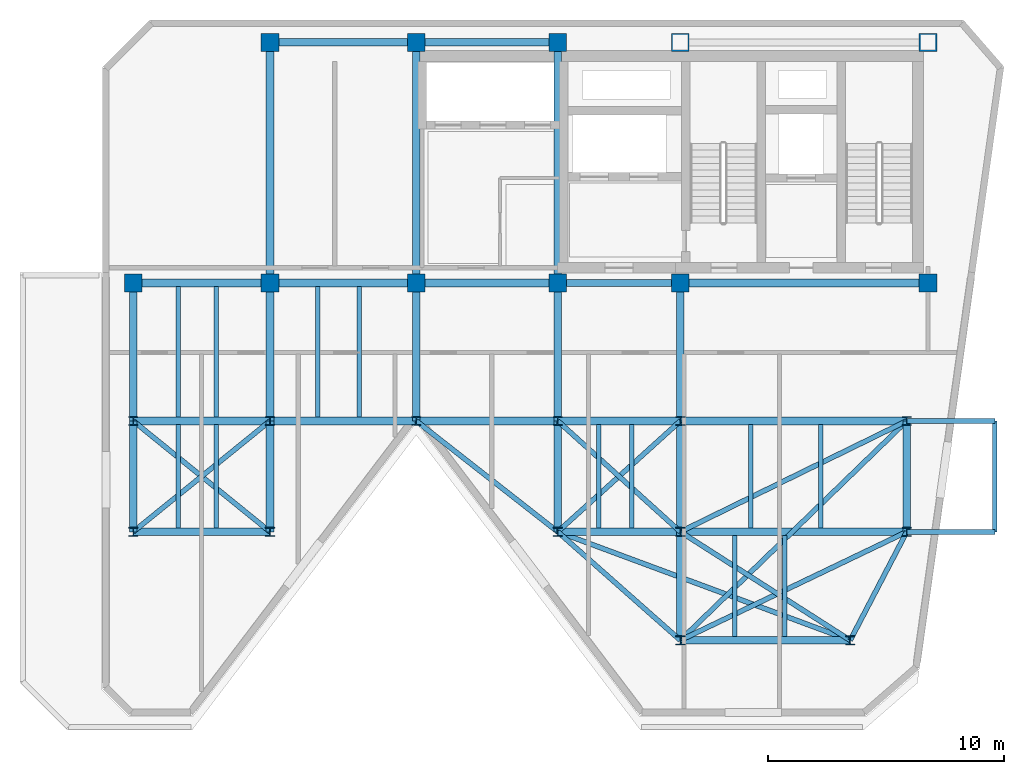
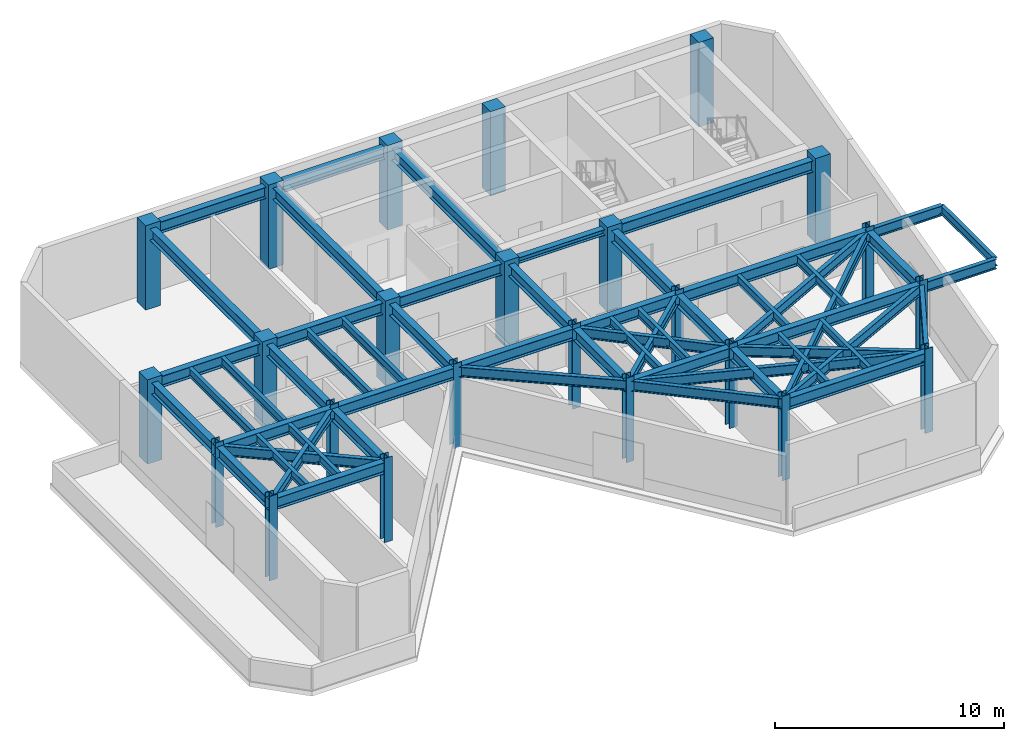
# One storey, part 1 of 6: 57 beams, 24 columns.
"""IFC4 building model written with IfcOpenShell, lengths in metres."""

from ifc_helpers import new_model, si_unit, direction, frame, origin, origin_2d, place, context, subcontext, project, spatial, rectangle, i_section, extrude, material, material_profile, profile_set, type_object, element, save


model = new_model("IFC4")

# Units and contexts
model_context = context("Model", 3, precision=1e-05, world=origin(), true_north=direction((0.0, 1.0)))
body_context = subcontext(model_context, "Body", "Model", "MODEL_VIEW")
ifc_project = project(units=[si_unit("LENGTHUNIT", "METRE"), si_unit("AREAUNIT", "SQUARE_METRE"), si_unit("VOLUMEUNIT", "CUBIC_METRE"), si_unit("PLANEANGLEUNIT", "RADIAN"), si_unit("MASSUNIT", "GRAM", prefix="KILO")], contexts=[model_context])

# Site, building, storey
site_placement = place(None, origin())
site = spatial("IfcSite", under=ifc_project, at=site_placement, CompositionType="ELEMENT")
building_placement = place(site_placement, origin())
building = spatial("IfcBuilding", under=site, at=building_placement, Name="Kravanh Interchange Tower", CompositionType="ELEMENT")
storey_placement = place(building_placement, frame((0.0, 0.0, 277.800048828125)))
storey = spatial("IfcBuildingStorey", under=building, at=storey_placement, Name="L68", CompositionType="ELEMENT", Elevation=277.800048828125)

# Columns
ifc_material_1 = material(Name="Concrete C60/75", Category="concrete")
ifc_material_profile_1 = material_profile(ifc_material_1, rectangle(XDim=0.75, YDim=0.75, at=origin_2d()), Name="RC750X750")
ifc_profile_set_1 = profile_set([ifc_material_profile_1], Name="Concrete C60/75")
column_type_1 = type_object("IfcColumnType", Name="Column RC750X750 Concrete C60/75", PredefinedType="COLUMN", material=ifc_profile_set_1)
for number, where, z_axis, x_axis, name in (
    (1, (66.5, 47.550048828125, 0.0), (0.0, 0.0, 1.0), (1.0, 0.0, 0.0), "L68 Column CS01"),
    (2, (56.0, 47.550048828125, 0.0), (0.0, 0.0, 1.0), (1.0, 0.0, 0.0), "L68 Column CS02"),
    (3, (66.5, 37.35009765625, 0.0), (0.0, 0.0, 1.0), (1.0, 0.0, 0.0), "L68 Column CS03"),
    (4, (56.0, 37.35009765625, 0.0), (0.0, 0.0, 1.0), (1.0, 0.0, 0.0), "L68 Column CS04"),
    (5, (50.800048828125, 47.550048828125, 0.0), (0.0, 0.0, 1.0), (1.0, 0.0, 0.0), "L68 Column CS05"),
    (6, (50.800048828125, 37.35009765625, 0.0), (0.0, 0.0, 1.0), (1.0, 0.0, 0.0), "L68 Column CS06"),
    (7, (44.800048828125, 37.35009765625, 0.0), (0.0, 0.0, 1.0), (1.0, 0.0, 0.0), "L68 Column CS07"),
    (8, (44.800048828125, 47.550048828125, 0.0), (0.0, 0.0, 1.0), (1.0, 0.0, 0.0), "L68 Column CS08"),
    (9, (38.60009765625, 37.35009765625, 0.0), (0.0, 0.0, 1.0), (1.0, 0.0, 0.0), "L68 Column CS09"),
    (10, (38.60009765625, 47.550048828125, 0.0), (0.0, 0.0, 1.0), (1.0, 0.0, 0.0), "L68 Column CS10"),
    (11, (32.800048828125, 37.35009765625, 0.0), (0.0, 0.0, 1.0), (1.0, 0.0, 0.0), "L68 Column CS11"),
):
    element("IfcColumn", number, at=place(storey_placement, frame(where, z_axis=z_axis, x_axis=x_axis)), inside=storey, type_object=column_type_1, Name=name, PredefinedType="COLUMN", context=body_context, shape_type="SweptSolid", body=[
        extrude(rectangle(XDim=0.75, YDim=0.75, at=origin_2d()), origin(), (0.0, 0.0, 1.0), 4.5),
    ])
ifc_material_2 = material(Name="Structural Steel S355", Category="steel")
ifc_material_profile_2 = material_profile(ifc_material_2, i_section(OverallWidth=0.39404296875, OverallDepth=0.3759765625, WebThickness=0.017333984375, FlangeThickness=0.027587890625, FilletRadius=0.030029296875, at=origin_2d()), Name="W14X145")
ifc_profile_set_2 = profile_set([ifc_material_profile_2], Name="Structural Steel S355")
column_type_2 = type_object("IfcColumnType", Name="Column W14X145 Structural Steel S355", PredefinedType="COLUMN", material=ifc_profile_set_2)
for number, where, z_axis, x_axis, name in (
    (12, (44.800048828125, 31.5, 0.0), (0.0, 0.0, 1.0), (1.0, 0.0, 0.0), "L68 Column CH_E1"),
    (13, (50.800048828125, 31.5, 0.0), (0.0, 0.0, 1.0), (1.0, 0.0, 0.0), "L68 Column CH_E2"),
    (14, (56.0, 31.5, 0.0), (0.0, 0.0, 1.0), (1.0, 0.0, 0.0), "L68 Column CH_E3"),
    (15, (65.60009765625, 31.5, 0.0), (0.0, 0.0, 1.0), (1.0, 0.0, 0.0), "L68 Column CH_E4"),
    (16, (38.60009765625, 31.5, 0.0), (0.0, 0.0, 1.0), (1.0, 0.0, 0.0), "L68 Column CH_E5"),
    (17, (32.800048828125, 31.5, 0.0), (0.0, 0.0, 1.0), (1.0, 0.0, 0.0), "L68 Column CH_E6"),
    (18, (38.60009765625, 26.800048828125, 0.0), (0.0, 0.0, 1.0), (1.0, 0.0, 0.0), "L68 Column CH_S1"),
    (19, (50.800048828125, 26.800048828125, 0.0), (0.0, 0.0, 1.0), (1.0, 0.0, 0.0), "L68 Column CH_S2"),
    (20, (56.0, 26.800048828125, 0.0), (0.0, 0.0, 1.0), (1.0, 0.0, 0.0), "L68 Column CH_S3"),
    (21, (65.60009765625, 26.800048828125, 0.0), (0.0, 0.0, 1.0), (1.0, 0.0, 0.0), "L68 Column CH_S4"),
    (22, (56.0, 22.199951171875, 0.0), (0.0, 0.0, 1.0), (1.0, 0.0, 0.0), "L68 Column CH_S5"),
    (23, (63.199951171875, 22.199951171875, 0.0), (0.0, 0.0, 1.0), (1.0, 0.0, 0.0), "L68 Column CH_S6"),
    (24, (32.800048828125, 26.800048828125, 0.0), (0.0, 0.0, 1.0), (1.0, 0.0, 0.0), "L68 Column CH_W3"),
):
    element("IfcColumn", number, at=place(storey_placement, frame(where, z_axis=z_axis, x_axis=x_axis)), inside=storey, type_object=column_type_2, Name=name, PredefinedType="COLUMN", context=body_context, shape_type="SweptSolid", body=[
        extrude(i_section(OverallWidth=0.39404296875, OverallDepth=0.3759765625, WebThickness=0.017333984375, FlangeThickness=0.027587890625, FilletRadius=0.030029296875, at=origin_2d()), origin(), (0.0, 0.0, 1.0), 4.5),
    ])

# Beams
ifc_material_3 = material(Name="Structural Steel S355", Category="steel")
ifc_material_profile_3 = material_profile(ifc_material_3, i_section(OverallWidth=0.323974609375, OverallDepth=0.611083984375, WebThickness=0.0126953125, FlangeThickness=0.01904296875, FilletRadius=0.02197265625, at=origin_2d()), Name="W24X104")
ifc_profile_set_3 = profile_set([ifc_material_profile_3], Name="Structural Steel S355")
beam_type_1 = type_object("IfcBeamType", Name="Floor Beam W24X104 Structural Steel S355", PredefinedType="BEAM", material=ifc_profile_set_3)
beam_1_placement = place(storey_placement, frame((44.800048828125, 31.5, 3.95947265625), z_axis=(0.0, 1.0, 0.0), x_axis=(-1.0, 0.0, 0.0)))
element("IfcBeam", 25, at=beam_1_placement, inside=storey, type_object=beam_type_1, Name="L68 Primary Floor Girder 1", PredefinedType="BEAM", context=body_context, shape_type="SweptSolid", body=[
    extrude(i_section(OverallWidth=0.323974609375, OverallDepth=0.611083984375, WebThickness=0.0126953125, FlangeThickness=0.01904296875, FilletRadius=0.02197265625, at=origin_2d()), origin(), (0.0, 0.0, 1.0), 5.85009765625),
])
beam_2_placement = place(storey_placement, frame((44.800048828125, 31.5, 3.95947265625), z_axis=(1.0, 0.0, 0.0), x_axis=(0.0, 1.0, 0.0)))
element("IfcBeam", 26, at=beam_2_placement, inside=storey, type_object=beam_type_1, Name="L68 Primary Floor Girder 2", PredefinedType="BEAM", context=body_context, shape_type="SweptSolid", body=[
    extrude(i_section(OverallWidth=0.323974609375, OverallDepth=0.611083984375, WebThickness=0.0126953125, FlangeThickness=0.01904296875, FilletRadius=0.02197265625, at=origin_2d()), origin(), (0.0, 0.0, 1.0), 6.0),
])
beam_3_placement = place(storey_placement, frame((44.800048828125, 31.5, 3.95947265625), z_axis=(-1.0, 0.0, 0.0), x_axis=(0.0, -1.0, 0.0)))
element("IfcBeam", 27, at=beam_3_placement, inside=storey, type_object=beam_type_1, Name="L68 Primary Floor Girder 3", PredefinedType="BEAM", context=body_context, shape_type="SweptSolid", body=[
    extrude(i_section(OverallWidth=0.323974609375, OverallDepth=0.611083984375, WebThickness=0.0126953125, FlangeThickness=0.01904296875, FilletRadius=0.02197265625, at=origin_2d()), origin(), (0.0, 0.0, 1.0), 6.199951171875),
])
beam_4_placement = place(storey_placement, frame((50.800048828125, 31.5, 3.95947265625), z_axis=(0.0, -1.0, 0.0), x_axis=(1.0, 0.0, 0.0)))
element("IfcBeam", 28, at=beam_4_placement, inside=storey, type_object=beam_type_1, Name="L68 Primary Floor Girder 5", PredefinedType="BEAM", context=body_context, shape_type="SweptSolid", body=[
    extrude(i_section(OverallWidth=0.323974609375, OverallDepth=0.611083984375, WebThickness=0.0126953125, FlangeThickness=0.01904296875, FilletRadius=0.02197265625, at=origin_2d()), origin(), (0.0, 0.0, 1.0), 4.699951171875),
])
beam_5_placement = place(storey_placement, frame((50.800048828125, 31.5, 3.95947265625), z_axis=(1.0, 0.0, 0.0), x_axis=(0.0, 1.0, 0.0)))
element("IfcBeam", 29, at=beam_5_placement, inside=storey, type_object=beam_type_1, Name="L68 Primary Floor Girder 6", PredefinedType="BEAM", context=body_context, shape_type="SweptSolid", body=[
    extrude(i_section(OverallWidth=0.323974609375, OverallDepth=0.611083984375, WebThickness=0.0126953125, FlangeThickness=0.01904296875, FilletRadius=0.02197265625, at=origin_2d()), origin(), (0.0, 0.0, 1.0), 5.199951171875),
])
beam_6_placement = place(storey_placement, frame((50.800048828125, 31.5, 3.95947265625), z_axis=(0.0, 1.0, 0.0), x_axis=(-1.0, 0.0, 0.0)))
element("IfcBeam", 30, at=beam_6_placement, inside=storey, type_object=beam_type_1, Name="L68 Primary Floor Girder 7", PredefinedType="BEAM", context=body_context, shape_type="SweptSolid", body=[
    extrude(i_section(OverallWidth=0.323974609375, OverallDepth=0.611083984375, WebThickness=0.0126953125, FlangeThickness=0.01904296875, FilletRadius=0.02197265625, at=origin_2d()), origin(), (0.0, 0.0, 1.0), 5.85009765625),
])
beam_7_placement = place(storey_placement, frame((56.0, 31.5, 3.95947265625), z_axis=(0.0, -1.0, 0.0), x_axis=(1.0, 0.0, 0.0)))
element("IfcBeam", 31, at=beam_7_placement, inside=storey, type_object=beam_type_1, Name="L68 Primary Floor Girder 9", PredefinedType="BEAM", context=body_context, shape_type="SweptSolid", body=[
    extrude(i_section(OverallWidth=0.323974609375, OverallDepth=0.611083984375, WebThickness=0.0126953125, FlangeThickness=0.01904296875, FilletRadius=0.02197265625, at=origin_2d()), origin(), (0.0, 0.0, 1.0), 4.699951171875),
])
beam_8_placement = place(storey_placement, frame((56.0, 31.5, 3.95947265625), z_axis=(0.0, 1.0, 0.0), x_axis=(-1.0, 0.0, 0.0)))
element("IfcBeam", 32, at=beam_8_placement, inside=storey, type_object=beam_type_1, Name="L68 Primary Floor Girder 10", PredefinedType="BEAM", context=body_context, shape_type="SweptSolid", body=[
    extrude(i_section(OverallWidth=0.323974609375, OverallDepth=0.611083984375, WebThickness=0.0126953125, FlangeThickness=0.01904296875, FilletRadius=0.02197265625, at=origin_2d()), origin(), (0.0, 0.0, 1.0), 5.85009765625),
])
beam_9_placement = place(storey_placement, frame((56.0, 31.5, 3.95947265625), z_axis=(1.0, 0.0, 0.0), x_axis=(0.0, 1.0, 0.0)))
element("IfcBeam", 33, at=beam_9_placement, inside=storey, type_object=beam_type_1, Name="L68 Primary Floor Girder 12", PredefinedType="BEAM", context=body_context, shape_type="SweptSolid", body=[
    extrude(i_section(OverallWidth=0.323974609375, OverallDepth=0.611083984375, WebThickness=0.0126953125, FlangeThickness=0.01904296875, FilletRadius=0.02197265625, at=origin_2d()), origin(), (0.0, 0.0, 1.0), 9.60009765625),
])
for number, where, z_axis, x_axis, name in (
    (34, (65.60009765625, 31.5, 3.95947265625), (0.0, -1.0, 0.0), (1.0, 0.0, 0.0), "L68 Primary Floor Girder 13"),
    (35, (38.60009765625, 31.5, 3.95947265625), (0.0, -1.0, 0.0), (1.0, 0.0, 0.0), "L68 Primary Floor Girder 17"),
):
    element("IfcBeam", number, at=place(storey_placement, frame(where, z_axis=z_axis, x_axis=x_axis)), inside=storey, type_object=beam_type_1, Name=name, PredefinedType="BEAM", context=body_context, shape_type="SweptSolid", body=[
        extrude(i_section(OverallWidth=0.323974609375, OverallDepth=0.611083984375, WebThickness=0.0126953125, FlangeThickness=0.01904296875, FilletRadius=0.02197265625, at=origin_2d()), origin(), (0.0, 0.0, 1.0), 4.699951171875),
    ])
beam_10_placement = place(storey_placement, frame((38.60009765625, 31.5, 3.95947265625), z_axis=(-1.0, 0.0, 0.0), x_axis=(0.0, -1.0, 0.0)))
element("IfcBeam", 36, at=beam_10_placement, inside=storey, type_object=beam_type_1, Name="L68 Primary Floor Girder 18", PredefinedType="BEAM", context=body_context, shape_type="SweptSolid", body=[
    extrude(i_section(OverallWidth=0.323974609375, OverallDepth=0.611083984375, WebThickness=0.0126953125, FlangeThickness=0.01904296875, FilletRadius=0.02197265625, at=origin_2d()), origin(), (0.0, 0.0, 1.0), 5.800048828125),
])
beam_11_placement = place(storey_placement, frame((38.60009765625, 31.5, 3.95947265625), z_axis=(0.0, 1.0, 0.0), x_axis=(-1.0, 0.0, 0.0)))
element("IfcBeam", 37, at=beam_11_placement, inside=storey, type_object=beam_type_1, Name="L68 Primary Floor Girder 19", PredefinedType="BEAM", context=body_context, shape_type="SweptSolid", body=[
    extrude(i_section(OverallWidth=0.323974609375, OverallDepth=0.611083984375, WebThickness=0.0126953125, FlangeThickness=0.01904296875, FilletRadius=0.02197265625, at=origin_2d()), origin(), (0.0, 0.0, 1.0), 5.85009765625),
])
beam_12_placement = place(storey_placement, frame((32.800048828125, 31.5, 3.95947265625), z_axis=(0.0, -1.0, 0.0), x_axis=(1.0, 0.0, 0.0)))
element("IfcBeam", 38, at=beam_12_placement, inside=storey, type_object=beam_type_1, Name="L68 Primary Floor Girder 21", PredefinedType="BEAM", context=body_context, shape_type="SweptSolid", body=[
    extrude(i_section(OverallWidth=0.323974609375, OverallDepth=0.611083984375, WebThickness=0.0126953125, FlangeThickness=0.01904296875, FilletRadius=0.02197265625, at=origin_2d()), origin(), (0.0, 0.0, 1.0), 4.699951171875),
])
beam_13_placement = place(storey_placement, frame((32.800048828125, 31.5, 3.95947265625), z_axis=(0.0, 1.0, 0.0), x_axis=(-1.0, 0.0, 0.0)))
element("IfcBeam", 39, at=beam_13_placement, inside=storey, type_object=beam_type_1, Name="L68 Primary Floor Girder 22", PredefinedType="BEAM", context=body_context, shape_type="SweptSolid", body=[
    extrude(i_section(OverallWidth=0.323974609375, OverallDepth=0.611083984375, WebThickness=0.0126953125, FlangeThickness=0.01904296875, FilletRadius=0.02197265625, at=origin_2d()), origin(), (0.0, 0.0, 1.0), 5.85009765625),
])
beam_14_placement = place(storey_placement, frame((38.60009765625, 26.800048828125, 3.95947265625), z_axis=(-1.0, 0.0, 0.0), x_axis=(0.0, -1.0, 0.0)))
element("IfcBeam", 40, at=beam_14_placement, inside=storey, type_object=beam_type_1, Name="L68 Primary Floor Girder 24", PredefinedType="BEAM", context=body_context, shape_type="SweptSolid", body=[
    extrude(i_section(OverallWidth=0.323974609375, OverallDepth=0.611083984375, WebThickness=0.0126953125, FlangeThickness=0.01904296875, FilletRadius=0.02197265625, at=origin_2d()), origin(), (0.0, 0.0, 1.0), 5.800048828125),
])
beam_15_placement = place(storey_placement, frame((50.800048828125, 26.800048828125, 3.95947265625), z_axis=(1.0, 0.0, 0.0), x_axis=(0.0, 1.0, 0.0)))
element("IfcBeam", 41, at=beam_15_placement, inside=storey, type_object=beam_type_1, Name="L68 Primary Floor Girder 25", PredefinedType="BEAM", context=body_context, shape_type="SweptSolid", body=[
    extrude(i_section(OverallWidth=0.323974609375, OverallDepth=0.611083984375, WebThickness=0.0126953125, FlangeThickness=0.01904296875, FilletRadius=0.02197265625, at=origin_2d()), origin(), (0.0, 0.0, 1.0), 5.199951171875),
])
beam_16_placement = place(storey_placement, frame((56.0, 26.800048828125, 3.95947265625), z_axis=(0.0, -1.0, 0.0), x_axis=(1.0, 0.0, 0.0)))
element("IfcBeam", 42, at=beam_16_placement, inside=storey, type_object=beam_type_1, Name="L68 Primary Floor Girder 28", PredefinedType="BEAM", context=body_context, shape_type="SweptSolid", body=[
    extrude(i_section(OverallWidth=0.323974609375, OverallDepth=0.611083984375, WebThickness=0.0126953125, FlangeThickness=0.01904296875, FilletRadius=0.02197265625, at=origin_2d()), origin(), (0.0, 0.0, 1.0), 4.60009765625),
])
beam_17_placement = place(storey_placement, frame((56.0, 26.800048828125, 3.95947265625), z_axis=(1.0, 0.0, 0.0), x_axis=(0.0, 1.0, 0.0)))
element("IfcBeam", 43, at=beam_17_placement, inside=storey, type_object=beam_type_1, Name="L68 Primary Floor Girder 30", PredefinedType="BEAM", context=body_context, shape_type="SweptSolid", body=[
    extrude(i_section(OverallWidth=0.323974609375, OverallDepth=0.611083984375, WebThickness=0.0126953125, FlangeThickness=0.01904296875, FilletRadius=0.02197265625, at=origin_2d()), origin(), (0.0, 0.0, 1.0), 9.60009765625),
])
beam_18_placement = place(storey_placement, frame((56.0, 22.199951171875, 3.95947265625), z_axis=(1.0, 0.0, 0.0), x_axis=(0.0, 1.0, 0.0)))
element("IfcBeam", 44, at=beam_18_placement, inside=storey, type_object=beam_type_1, Name="L68 Primary Floor Girder 33", PredefinedType="BEAM", context=body_context, shape_type="SweptSolid", body=[
    extrude(i_section(OverallWidth=0.323974609375, OverallDepth=0.611083984375, WebThickness=0.0126953125, FlangeThickness=0.01904296875, FilletRadius=0.02197265625, at=origin_2d()), origin(), (0.0, 0.0, 1.0), 7.199951171875),
])
beam_19_placement = place(storey_placement, frame((66.5, 37.35009765625, 3.95947265625), z_axis=(-1.0, 0.0, 0.0), x_axis=(0.0, -1.0, 0.0)))
element("IfcBeam", 45, at=beam_19_placement, inside=storey, type_object=beam_type_1, Name="L68 Primary Floor Girder 38", PredefinedType="BEAM", context=body_context, shape_type="SweptSolid", body=[
    extrude(i_section(OverallWidth=0.323974609375, OverallDepth=0.611083984375, WebThickness=0.0126953125, FlangeThickness=0.01904296875, FilletRadius=0.02197265625, at=origin_2d()), origin(), (0.0, 0.0, 1.0), 10.5),
])
beam_20_placement = place(storey_placement, frame((50.800048828125, 47.550048828125, 3.95947265625), z_axis=(-1.0, 0.0, 0.0), x_axis=(0.0, -1.0, 0.0)))
element("IfcBeam", 46, at=beam_20_placement, inside=storey, type_object=beam_type_1, Name="L68 Primary Floor Girder 40", PredefinedType="BEAM", context=body_context, shape_type="SweptSolid", body=[
    extrude(i_section(OverallWidth=0.323974609375, OverallDepth=0.611083984375, WebThickness=0.0126953125, FlangeThickness=0.01904296875, FilletRadius=0.02197265625, at=origin_2d()), origin(), (0.0, 0.0, 1.0), 6.0),
])
beam_21_placement = place(storey_placement, frame((50.800048828125, 47.550048828125, 3.95947265625), z_axis=(0.0, -1.0, 0.0), x_axis=(1.0, 0.0, 0.0)))
element("IfcBeam", 47, at=beam_21_placement, inside=storey, type_object=beam_type_1, Name="L68 Primary Floor Girder 41", PredefinedType="BEAM", context=body_context, shape_type="SweptSolid", body=[
    extrude(i_section(OverallWidth=0.323974609375, OverallDepth=0.611083984375, WebThickness=0.0126953125, FlangeThickness=0.01904296875, FilletRadius=0.02197265625, at=origin_2d()), origin(), (0.0, 0.0, 1.0), 10.199951171875),
])
beam_22_placement = place(storey_placement, frame((50.800048828125, 37.35009765625, 3.95947265625), z_axis=(-1.0, 0.0, 0.0), x_axis=(0.0, -1.0, 0.0)))
element("IfcBeam", 48, at=beam_22_placement, inside=storey, type_object=beam_type_1, Name="L68 Primary Floor Girder 42", PredefinedType="BEAM", context=body_context, shape_type="SweptSolid", body=[
    extrude(i_section(OverallWidth=0.323974609375, OverallDepth=0.611083984375, WebThickness=0.0126953125, FlangeThickness=0.01904296875, FilletRadius=0.02197265625, at=origin_2d()), origin(), (0.0, 0.0, 1.0), 6.0),
])
beam_23_placement = place(storey_placement, frame((44.800048828125, 37.35009765625, 3.95947265625), z_axis=(-1.0, 0.0, 0.0), x_axis=(0.0, -1.0, 0.0)))
element("IfcBeam", 49, at=beam_23_placement, inside=storey, type_object=beam_type_1, Name="L68 Primary Floor Girder 43", PredefinedType="BEAM", context=body_context, shape_type="SweptSolid", body=[
    extrude(i_section(OverallWidth=0.323974609375, OverallDepth=0.611083984375, WebThickness=0.0126953125, FlangeThickness=0.01904296875, FilletRadius=0.02197265625, at=origin_2d()), origin(), (0.0, 0.0, 1.0), 6.199951171875),
])
beam_24_placement = place(storey_placement, frame((44.800048828125, 37.35009765625, 3.95947265625), z_axis=(0.0, 1.0, 0.0), x_axis=(-1.0, 0.0, 0.0)))
element("IfcBeam", 50, at=beam_24_placement, inside=storey, type_object=beam_type_1, Name="L68 Primary Floor Girder 44", PredefinedType="BEAM", context=body_context, shape_type="SweptSolid", body=[
    extrude(i_section(OverallWidth=0.323974609375, OverallDepth=0.611083984375, WebThickness=0.0126953125, FlangeThickness=0.01904296875, FilletRadius=0.02197265625, at=origin_2d()), origin(), (0.0, 0.0, 1.0), 10.199951171875),
])
beam_25_placement = place(storey_placement, frame((44.800048828125, 47.550048828125, 3.95947265625), z_axis=(-1.0, 0.0, 0.0), x_axis=(0.0, -1.0, 0.0)))
element("IfcBeam", 51, at=beam_25_placement, inside=storey, type_object=beam_type_1, Name="L68 Primary Floor Girder 45", PredefinedType="BEAM", context=body_context, shape_type="SweptSolid", body=[
    extrude(i_section(OverallWidth=0.323974609375, OverallDepth=0.611083984375, WebThickness=0.0126953125, FlangeThickness=0.01904296875, FilletRadius=0.02197265625, at=origin_2d()), origin(), (0.0, 0.0, 1.0), 6.199951171875),
])
beam_26_placement = place(storey_placement, frame((38.60009765625, 37.35009765625, 3.95947265625), z_axis=(-1.0, 0.0, 0.0), x_axis=(0.0, -1.0, 0.0)))
element("IfcBeam", 52, at=beam_26_placement, inside=storey, type_object=beam_type_1, Name="L68 Primary Floor Girder 46", PredefinedType="BEAM", context=body_context, shape_type="SweptSolid", body=[
    extrude(i_section(OverallWidth=0.323974609375, OverallDepth=0.611083984375, WebThickness=0.0126953125, FlangeThickness=0.01904296875, FilletRadius=0.02197265625, at=origin_2d()), origin(), (0.0, 0.0, 1.0), 5.800048828125),
])
beam_27_placement = place(storey_placement, frame((38.60009765625, 37.35009765625, 3.95947265625), z_axis=(0.0, 1.0, 0.0), x_axis=(-1.0, 0.0, 0.0)))
element("IfcBeam", 53, at=beam_27_placement, inside=storey, type_object=beam_type_1, Name="L68 Primary Floor Girder 47", PredefinedType="BEAM", context=body_context, shape_type="SweptSolid", body=[
    extrude(i_section(OverallWidth=0.323974609375, OverallDepth=0.611083984375, WebThickness=0.0126953125, FlangeThickness=0.01904296875, FilletRadius=0.02197265625, at=origin_2d()), origin(), (0.0, 0.0, 1.0), 10.199951171875),
])
ifc_material_4 = material(Name="Structural Steel S355", Category="steel")
ifc_material_profile_4 = material_profile(ifc_material_4, i_section(OverallWidth=0.18994140625, OverallDepth=0.45703125, WebThickness=0.009033203125, FlangeThickness=0.014404296875, FilletRadius=0.01806640625, at=origin_2d()), Name="W18X50")
ifc_profile_set_4 = profile_set([ifc_material_profile_4], Name="Structural Steel S355")
beam_type_2 = type_object("IfcBeamType", Name="Floor Joist W18X50 Structural Steel S355", PredefinedType="JOIST", material=ifc_profile_set_4)
for number, where, z_axis, x_axis, name in (
    (54, (58.302001953125, 22.35693359375, 4.036376953125), (0.0, 1.0, 0.0), (-1.0, 0.0, 0.0), "L68 Secondary Floor Joist 1"),
    (55, (60.426025390625, 22.35693359375, 4.036376953125), (0.0, 1.0, 0.0), (-1.0, 0.0, 0.0), "L68 Secondary Floor Joist 2"),
):
    element("IfcBeam", number, at=place(storey_placement, frame(where, z_axis=z_axis, x_axis=x_axis)), inside=storey, type_object=beam_type_2, Name=name, PredefinedType="JOIST", context=body_context, shape_type="SweptSolid", body=[
        extrude(i_section(OverallWidth=0.18994140625, OverallDepth=0.45703125, WebThickness=0.009033203125, FlangeThickness=0.014404296875, FilletRadius=0.01806640625, at=origin_2d()), origin(), (0.0, 0.0, 1.0), 4.2861328125),
    ])
for number, where, z_axis, x_axis, name in (
    (56, (34.7099609375, 26.95703125, 4.036376953125), (0.0, 1.0, 0.0), (-1.0, 0.0, 0.0), "L68 Secondary Floor Joist 3"),
    (57, (36.330078125, 26.95703125, 4.036376953125), (0.0, 1.0, 0.0), (-1.0, 0.0, 0.0), "L68 Secondary Floor Joist 4"),
    (58, (52.5419921875, 26.95703125, 4.036376953125), (0.0, 1.0, 0.0), (-1.0, 0.0, 0.0), "L68 Secondary Floor Joist 5"),
    (59, (53.946044921875, 26.95703125, 4.036376953125), (0.0, 1.0, 0.0), (-1.0, 0.0, 0.0), "L68 Secondary Floor Joist 6"),
    (60, (58.97412109375, 26.95703125, 4.036376953125), (0.0, 1.0, 0.0), (-1.0, 0.0, 0.0), "L68 Secondary Floor Joist 7"),
    (61, (61.9619140625, 26.95703125, 4.036376953125), (0.0, 1.0, 0.0), (-1.0, 0.0, 0.0), "L68 Secondary Floor Joist 8"),
):
    element("IfcBeam", number, at=place(storey_placement, frame(where, z_axis=z_axis, x_axis=x_axis)), inside=storey, type_object=beam_type_2, Name=name, PredefinedType="JOIST", context=body_context, shape_type="SweptSolid", body=[
        extrude(i_section(OverallWidth=0.18994140625, OverallDepth=0.45703125, WebThickness=0.009033203125, FlangeThickness=0.014404296875, FilletRadius=0.01806640625, at=origin_2d()), origin(), (0.0, 0.0, 1.0), 4.385986328125),
    ])
for number, where, z_axis, x_axis, name in (
    (62, (34.7099609375, 31.656982421875, 4.036376953125), (0.0, 1.0, 0.0), (-1.0, 0.0, 0.0), "L68 Secondary Floor Joist 9"),
    (63, (36.330078125, 31.656982421875, 4.036376953125), (0.0, 1.0, 0.0), (-1.0, 0.0, 0.0), "L68 Secondary Floor Joist 10"),
    (64, (40.6220703125, 31.656982421875, 4.036376953125), (0.0, 1.0, 0.0), (-1.0, 0.0, 0.0), "L68 Secondary Floor Joist 11"),
    (65, (42.385986328125, 31.656982421875, 4.036376953125), (0.0, 1.0, 0.0), (-1.0, 0.0, 0.0), "L68 Secondary Floor Joist 12"),
):
    element("IfcBeam", number, at=place(storey_placement, frame(where, z_axis=z_axis, x_axis=x_axis)), inside=storey, type_object=beam_type_2, Name=name, PredefinedType="JOIST", context=body_context, shape_type="SweptSolid", body=[
        extrude(i_section(OverallWidth=0.18994140625, OverallDepth=0.45703125, WebThickness=0.009033203125, FlangeThickness=0.014404296875, FilletRadius=0.01806640625, at=origin_2d()), origin(), (0.0, 0.0, 1.0), 5.5361328125),
    ])
beam_28_placement = place(storey_placement, frame((69.330078125, 26.800048828125, 4.036376953125), z_axis=(0.0, 1.0, 0.0), x_axis=(-1.0, 0.0, 0.0)))
element("IfcBeam", 66, at=beam_28_placement, inside=storey, type_object=beam_type_2, Name="L68 Balcony Edge Tie Beam E", PredefinedType="JOIST", context=body_context, shape_type="SweptSolid", body=[
    extrude(i_section(OverallWidth=0.18994140625, OverallDepth=0.45703125, WebThickness=0.009033203125, FlangeThickness=0.014404296875, FilletRadius=0.01806640625, at=origin_2d()), origin(), (0.0, 0.0, 1.0), 4.699951171875),
])
ifc_material_5 = material(Name="Structural Steel S355", Category="steel")
ifc_material_profile_5 = material_profile(ifc_material_5, i_section(OverallWidth=0.304931640625, OverallDepth=0.306884765625, WebThickness=0.010009765625, FlangeThickness=0.015380859375, FilletRadius=0.014892578125, at=origin_2d()), Name="W12X65")
ifc_profile_set_5 = profile_set([ifc_material_profile_5], Name="Structural Steel S355")
beam_type_3 = type_object("IfcBeamType", Name="Floor Lintel W12X65 Structural Steel S355", PredefinedType="LINTEL", material=ifc_profile_set_5)
beam_29_placement = place(storey_placement, frame((50.800048828125, 37.35009765625, 4.111572265625), z_axis=(1.0, 0.0, 0.0), x_axis=(0.0, 1.0, 0.0)))
element("IfcBeam", 67, at=beam_29_placement, inside=storey, type_object=beam_type_3, Name="L68 Core Coupling Lintel 1", PredefinedType="LINTEL", context=body_context, shape_type="SweptSolid", body=[
    extrude(i_section(OverallWidth=0.304931640625, OverallDepth=0.306884765625, WebThickness=0.010009765625, FlangeThickness=0.015380859375, FilletRadius=0.014892578125, at=origin_2d()), origin(), (0.0, 0.0, 1.0), 5.199951171875),
])
ifc_material_6 = material(Name="Structural Steel S355", Category="steel")
ifc_material_profile_6 = material_profile(ifc_material_6, i_section(OverallWidth=0.2099609375, OverallDepth=0.537109375, WebThickness=0.010986328125, FlangeThickness=0.017333984375, FilletRadius=0.02001953125, at=origin_2d()), Name="W21X68")
ifc_profile_set_6 = profile_set([ifc_material_profile_6], Name="Structural Steel S355")
beam_type_4 = type_object("IfcBeamType", Name="Floor Spandrel W21X68 Structural Steel S355", PredefinedType="SPANDREL", material=ifc_profile_set_6)
beam_30_placement = place(storey_placement, frame((44.800048828125, 31.5, 3.996337890625), z_axis=(0.787231163579, -0.616658004967, 0.0), x_axis=(0.616658004967, 0.787231163579, 0.0)))
element("IfcBeam", 68, at=beam_30_placement, inside=storey, type_object=beam_type_4, Name="L68 Perimeter Spandrel 4", PredefinedType="SPANDREL", context=body_context, shape_type="SweptSolid", body=[
    extrude(i_section(OverallWidth=0.2099609375, OverallDepth=0.537109375, WebThickness=0.010986328125, FlangeThickness=0.017333984375, FilletRadius=0.02001953125, at=origin_2d()), origin(), (0.0, 0.0, 1.0), 7.62158203125),
])
for number, where, z_axis, x_axis, name in (
    (69, (50.800048828125, 31.5, 3.996337890625), (0.741874009795, -0.670539300557, 0.0), (0.670539300557, 0.741874009795, 0.0), "L68 Perimeter Spandrel 8"),
    (70, (56.0, 31.5, 3.996337890625), (-0.741874009795, -0.670539300557, 0.0), (0.670539300557, -0.741874009795, 0.0), "L68 Perimeter Spandrel 11"),
):
    element("IfcBeam", number, at=place(storey_placement, frame(where, z_axis=z_axis, x_axis=x_axis)), inside=storey, type_object=beam_type_4, Name=name, PredefinedType="SPANDREL", context=body_context, shape_type="SweptSolid", body=[
        extrude(i_section(OverallWidth=0.2099609375, OverallDepth=0.537109375, WebThickness=0.010986328125, FlangeThickness=0.017333984375, FilletRadius=0.02001953125, at=origin_2d()), origin(), (0.0, 0.0, 1.0), 7.00927734375),
    ])
beam_31_placement = place(storey_placement, frame((65.60009765625, 31.5, 3.996337890625), z_axis=(-0.898141688387, -0.439706160499, 0.0), x_axis=(0.439706160499, -0.898141688387, 0.0)))
element("IfcBeam", 71, at=beam_31_placement, inside=storey, type_object=beam_type_4, Name="L68 Perimeter Spandrel 15", PredefinedType="SPANDREL", context=body_context, shape_type="SweptSolid", body=[
    extrude(i_section(OverallWidth=0.2099609375, OverallDepth=0.537109375, WebThickness=0.010986328125, FlangeThickness=0.017333984375, FilletRadius=0.02001953125, at=origin_2d()), origin(), (0.0, 0.0, 1.0), 10.68896484375),
])
beam_32_placement = place(storey_placement, frame((65.60009765625, 31.5, 3.996337890625), z_axis=(-0.718241934329, -0.695793449072, 0.0), x_axis=(0.695793449072, -0.718241934329, 0.0)))
element("IfcBeam", 72, at=beam_32_placement, inside=storey, type_object=beam_type_4, Name="L68 Perimeter Spandrel 16", PredefinedType="SPANDREL", context=body_context, shape_type="SweptSolid", body=[
    extrude(i_section(OverallWidth=0.2099609375, OverallDepth=0.537109375, WebThickness=0.010986328125, FlangeThickness=0.017333984375, FilletRadius=0.02001953125, at=origin_2d()), origin(), (0.0, 0.0, 1.0), 13.3662109375),
])
for number, where, z_axis, x_axis, name in (
    (73, (38.60009765625, 31.5, 3.996337890625), (-0.776938619557, -0.629576350764, 0.0), (0.629576350764, -0.776938619557, 0.0), "L68 Perimeter Spandrel 20"),
    (74, (32.800048828125, 31.5, 3.996337890625), (0.776938619557, -0.629576350764, 0.0), (0.629576350764, 0.776938619557, 0.0), "L68 Perimeter Spandrel 23"),
):
    element("IfcBeam", number, at=place(storey_placement, frame(where, z_axis=z_axis, x_axis=x_axis)), inside=storey, type_object=beam_type_4, Name=name, PredefinedType="SPANDREL", context=body_context, shape_type="SweptSolid", body=[
        extrude(i_section(OverallWidth=0.2099609375, OverallDepth=0.537109375, WebThickness=0.010986328125, FlangeThickness=0.017333984375, FilletRadius=0.02001953125, at=origin_2d()), origin(), (0.0, 0.0, 1.0), 7.46533203125),
    ])
beam_33_placement = place(storey_placement, frame((50.800048828125, 26.800048828125, 3.996337890625), z_axis=(0.74898649432, -0.662585263439, 0.0), x_axis=(0.662585263439, 0.74898649432, 0.0)))
element("IfcBeam", 75, at=beam_33_placement, inside=storey, type_object=beam_type_4, Name="L68 Perimeter Spandrel 26", PredefinedType="SPANDREL", context=body_context, shape_type="SweptSolid", body=[
    extrude(i_section(OverallWidth=0.2099609375, OverallDepth=0.537109375, WebThickness=0.010986328125, FlangeThickness=0.017333984375, FilletRadius=0.02001953125, at=origin_2d()), origin(), (0.0, 0.0, 1.0), 6.942626953125),
])
beam_34_placement = place(storey_placement, frame((50.800048828125, 26.800048828125, 3.996337890625), z_axis=(0.937562917338, -0.347815721372, 0.0), x_axis=(0.347815721372, 0.937562917338, 0.0)))
element("IfcBeam", 76, at=beam_34_placement, inside=storey, type_object=beam_type_4, Name="L68 Perimeter Spandrel 27", PredefinedType="SPANDREL", context=body_context, shape_type="SweptSolid", body=[
    extrude(i_section(OverallWidth=0.2099609375, OverallDepth=0.537109375, WebThickness=0.010986328125, FlangeThickness=0.017333984375, FilletRadius=0.02001953125, at=origin_2d()), origin(), (0.0, 0.0, 1.0), 13.2255859375),
])
beam_35_placement = place(storey_placement, frame((56.0, 26.800048828125, 3.996337890625), z_axis=(0.842689417531, -0.53839998661, 0.0), x_axis=(0.53839998661, 0.842689417531, 0.0)))
element("IfcBeam", 77, at=beam_35_placement, inside=storey, type_object=beam_type_4, Name="L68 Perimeter Spandrel 29", PredefinedType="SPANDREL", context=body_context, shape_type="SweptSolid", body=[
    extrude(i_section(OverallWidth=0.2099609375, OverallDepth=0.537109375, WebThickness=0.010986328125, FlangeThickness=0.017333984375, FilletRadius=0.02001953125, at=origin_2d()), origin(), (0.0, 0.0, 1.0), 8.5439453125),
])
beam_36_placement = place(storey_placement, frame((65.60009765625, 26.800048828125, 3.996337890625), z_axis=(-0.462580479178, -0.886577295155, 0.0), x_axis=(0.886577295155, -0.462580479178, 0.0)))
element("IfcBeam", 78, at=beam_36_placement, inside=storey, type_object=beam_type_4, Name="L68 Perimeter Spandrel 31", PredefinedType="SPANDREL", context=body_context, shape_type="SweptSolid", body=[
    extrude(i_section(OverallWidth=0.2099609375, OverallDepth=0.537109375, WebThickness=0.010986328125, FlangeThickness=0.017333984375, FilletRadius=0.02001953125, at=origin_2d()), origin(), (0.0, 0.0, 1.0), 5.188720703125),
])
beam_37_placement = place(storey_placement, frame((65.60009765625, 26.800048828125, 3.996337890625), z_axis=(-0.901814166789, -0.432124066188, 0.0), x_axis=(0.432124066188, -0.901814166789, 0.0)))
element("IfcBeam", 79, at=beam_37_placement, inside=storey, type_object=beam_type_4, Name="L68 Perimeter Spandrel 32", PredefinedType="SPANDREL", context=body_context, shape_type="SweptSolid", body=[
    extrude(i_section(OverallWidth=0.2099609375, OverallDepth=0.537109375, WebThickness=0.010986328125, FlangeThickness=0.017333984375, FilletRadius=0.02001953125, at=origin_2d()), origin(), (0.0, 0.0, 1.0), 10.645263671875),
])
for number, where, z_axis, x_axis, name in (
    (80, (65.60009765625, 26.800048828125, 3.996337890625), (1.0, 0.0, 0.0), (0.0, 1.0, 0.0), "L68 Balcony Cantilever Outrigger E1"),
    (81, (65.60009765625, 31.5, 3.996337890625), (1.0, 0.0, 0.0), (0.0, 1.0, 0.0), "L68 Balcony Cantilever Outrigger E2"),
):
    element("IfcBeam", number, at=place(storey_placement, frame(where, z_axis=z_axis, x_axis=x_axis)), inside=storey, type_object=beam_type_4, Name=name, PredefinedType="SPANDREL", context=body_context, shape_type="SweptSolid", body=[
        extrude(i_section(OverallWidth=0.2099609375, OverallDepth=0.537109375, WebThickness=0.010986328125, FlangeThickness=0.017333984375, FilletRadius=0.02001953125, at=origin_2d()), origin(), (0.0, 0.0, 1.0), 3.72998046875),
    ])

save(model, "model.ifc")
